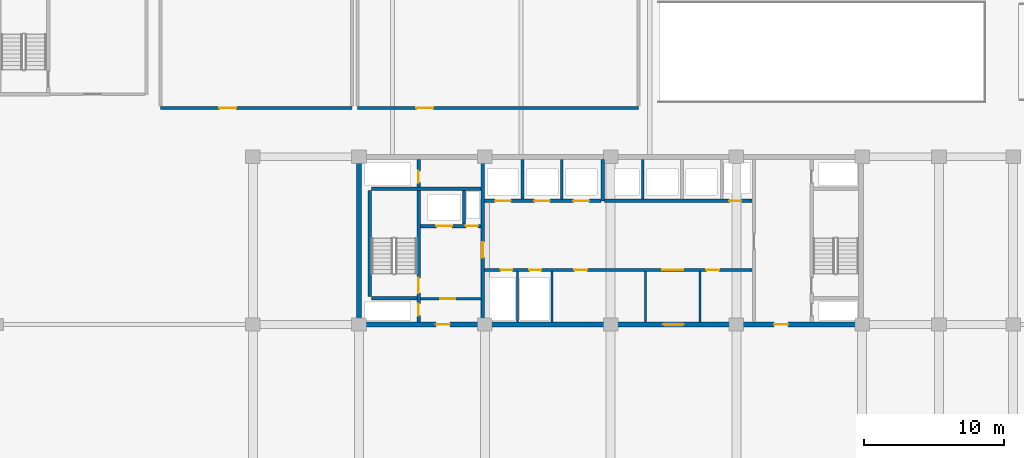
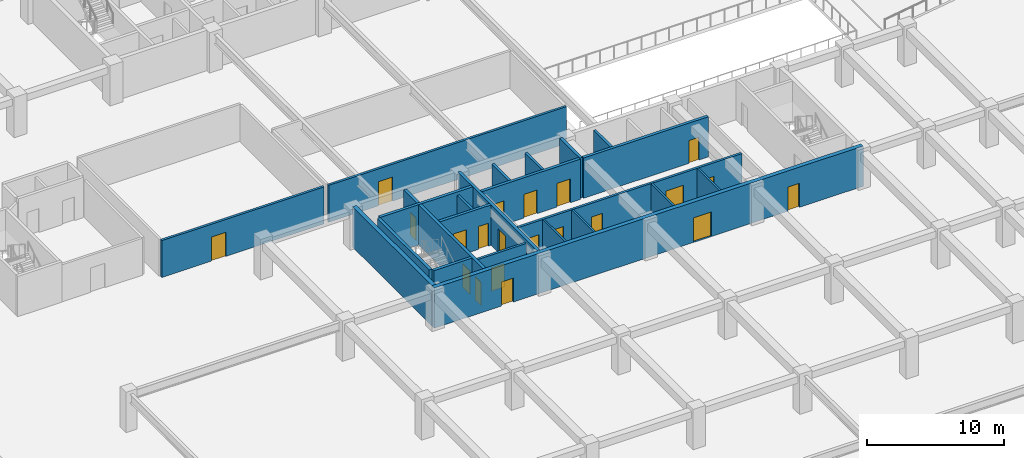
# One storey, part 6 of 23: 23 walls, 21 doors, 21 openings.
"""IFC4 building model written with IfcOpenShell, lengths in metres."""

from ifc_helpers import new_model, si_unit, direction, frame, frame_2d, origin, place, context, subcontext, project, spatial, rectangle, extrude, material, layer, layer_set, type_object, element, fill, save


model = new_model("IFC4")

# Units and contexts
model_context = context("Model", 3, precision=1e-05, world=origin(), true_north=direction((0.0, 1.0)))
body_context = subcontext(model_context, "Body", "Model", "MODEL_VIEW")
ifc_project = project(units=[si_unit("LENGTHUNIT", "METRE"), si_unit("AREAUNIT", "SQUARE_METRE"), si_unit("VOLUMEUNIT", "CUBIC_METRE"), si_unit("PLANEANGLEUNIT", "RADIAN"), si_unit("MASSUNIT", "GRAM", prefix="KILO")], contexts=[model_context])

# Site, building, storey
site_placement = place(None, origin())
site = spatial("IfcSite", under=ifc_project, at=site_placement, CompositionType="ELEMENT")
building_placement = place(site_placement, origin())
building = spatial("IfcBuilding", under=site, at=building_placement, Name="Korimba Cascade Residences", CompositionType="ELEMENT")
storey_placement = place(building_placement, frame((0.0, 0.0, -3.60009765625)))
storey = spatial("IfcBuildingStorey", under=building, at=storey_placement, Name="B01", CompositionType="ELEMENT", Elevation=-3.60009765625)

# Wall
ifc_material_1 = material(Name="Concrete C65/80", Category="concrete")
ifc_layer_1 = layer(ifc_material_1, 0.35009765625)
ifc_layer_set_1 = layer_set([ifc_layer_1], Name="Concrete C65/80")
wall_type_1 = type_object("IfcWallType", Name="WAL-CORE-350", PredefinedType="SHEAR", material=ifc_layer_set_1)
wall_1_placement = place(storey_placement, frame((82.10009765625, 18.574951171875, 0.0), z_axis=(0.0, 0.0, 1.0), x_axis=(0.0, 1.0, 0.0)))
element("IfcWall", 1, at=wall_1_placement, inside=storey, type_object=wall_type_1, Name="B01 Core Shear Wall CW-B01-T2-W", PredefinedType="SHEAR", context=body_context, shape_type="SweptSolid", body=[
    extrude(rectangle(XDim=11.650146484375, YDim=0.35009765625, at=frame_2d((5.8251953125, 0.0))), origin(), (0.0, 0.0, 1.0), 3.60009765625),
])

# Wall, openings, doors
wall_2_placement = place(storey_placement, frame((81.925048828125, 18.39990234375, 0.0), z_axis=(0.0, 0.0, 1.0), x_axis=(1.0, 0.0, 0.0)))
wall_2 = element("IfcWall", 2, at=wall_2_placement, inside=storey, type_object=wall_type_1, Name="B01 Core Shear Wall CW-B01-T2-S", PredefinedType="SHEAR", context=body_context, shape_type="SweptSolid", body=[
    extrude(rectangle(XDim=36.264892578125, YDim=0.35009765625, at=frame_2d((18.13232421875, 0.0))), origin(), (0.0, 0.0, 1.0), 3.60009765625),
])
opening_1_placement = place(wall_2_placement, frame((5.675048828125, 0.0, 0.0)))
opening_1 = element("IfcOpeningElement", 3, at=opening_1_placement, cuts=wall_2, Name="Opening D-FD5", PredefinedType="OPENING", context=body_context, shape_type="SweptSolid", body=[
    extrude(rectangle(XDim=1.0, YDim=2.14990234375, at=frame_2d((0.5, 1.074951171875))), frame((0.0, 0.18505859375, 0.0), z_axis=(0.0, -1.0, 0.0), x_axis=(1.0, 0.0, 0.0)), (0.0, 0.0, 1.0), 0.3701171875),
])
opening_2_placement = place(wall_2_placement, frame((21.925048828125, 0.0, 0.0)))
opening_2 = element("IfcOpeningElement", 4, at=opening_2_placement, cuts=wall_2, Name="Opening D-FD8", PredefinedType="OPENING", context=body_context, shape_type="SweptSolid", body=[
    extrude(rectangle(XDim=1.5, YDim=2.199951171875, at=frame_2d((0.75, 1.10009765625))), frame((0.0, 0.18505859375, 0.0), z_axis=(0.0, -1.0, 0.0), x_axis=(1.0, 0.0, 0.0)), (0.0, 0.0, 1.0), 0.3701171875),
])
opening_3_placement = place(wall_2_placement, frame((29.875, 0.0, 0.0)))
opening_3 = element("IfcOpeningElement", 5, at=opening_3_placement, cuts=wall_2, Name="Opening D-FD5", PredefinedType="OPENING", context=body_context, shape_type="SweptSolid", body=[
    extrude(rectangle(XDim=1.0, YDim=2.14990234375, at=frame_2d((0.5, 1.074951171875))), frame((0.0, 0.18505859375, 0.0), z_axis=(0.0, -1.0, 0.0), x_axis=(1.0, 0.0, 0.0)), (0.0, 0.0, 1.0), 0.3701171875),
])
ifc_material_2 = material(Name="Fire-Rated Acoustic Timber Vestibule Door", Category="wood")
door_type_1 = type_object("IfcDoorType", Name="DR-FD90-1000", OperationType="NOTDEFINED", PredefinedType="DOOR", material=ifc_material_2)
door_1_placement = place(opening_1_placement, origin())
door_1 = element("IfcDoor", 6, at=door_1_placement, inside=storey, type_object=door_type_1, Name="B01 T2 West Core Vestibule Fire Door", OperationType="SINGLE_SWING_LEFT", OverallHeight=2.14990234375, OverallWidth=1.0, PredefinedType="DOOR", context=body_context, shape_type="SweptSolid", body=[
    extrude(rectangle(XDim=1.0, YDim=2.14990234375, at=frame_2d((0.5, 1.074951171875))), frame((0.0, 0.02490234375, 0.0), z_axis=(0.0, -1.0, 0.0), x_axis=(1.0, 0.0, 0.0)), (0.0, 0.0, 1.0), 0.050048828125),
])
fill(opening_1, door_1)
door_2_placement = place(opening_3_placement, origin())
door_2 = element("IfcDoor", 7, at=door_2_placement, inside=storey, type_object=door_type_1, Name="B01 T2 East Stair Vestibule Fire Door", OperationType="SINGLE_SWING_RIGHT", OverallHeight=2.14990234375, OverallWidth=1.0, PredefinedType="DOOR", context=body_context, shape_type="SweptSolid", body=[
    extrude(rectangle(XDim=1.0, YDim=2.14990234375, at=frame_2d((0.5, 1.074951171875))), frame((0.0, 0.02490234375, 0.0), z_axis=(0.0, -1.0, 0.0), x_axis=(1.0, 0.0, 0.0)), (0.0, 0.0, 1.0), 0.050048828125),
])
fill(opening_3, door_2)
ifc_material_3 = material(Name="Fire-Rated Glazed Lift Lobby Double Door", Category="glass")
door_type_2 = type_object("IfcDoorType", Name="DR-FD90-1500", OperationType="NOTDEFINED", PredefinedType="DOOR", material=ifc_material_3)
door_3_placement = place(opening_2_placement, origin())
door_3 = element("IfcDoor", 8, at=door_3_placement, inside=storey, type_object=door_type_2, Name="B01 T2 Lift Lobby Fire Door", OperationType="DOUBLE_DOOR_SINGLE_SWING", OverallHeight=2.199951171875, OverallWidth=1.5, PredefinedType="DOOR", context=body_context, shape_type="SweptSolid", body=[
    extrude(rectangle(XDim=1.5, YDim=2.199951171875, at=frame_2d((0.75, 1.10009765625))), frame((0.0, 0.02490234375, 0.0), z_axis=(0.0, -1.0, 0.0), x_axis=(1.0, 0.0, 0.0)), (0.0, 0.0, 1.0), 0.050048828125),
])
fill(opening_2, door_3)

# Walls
ifc_material_4 = material(Name="Insulated Acoustic Stud Partition", Category="gypsum")
ifc_layer_2 = layer(ifc_material_4, 0.14990234375)
ifc_layer_set_2 = layer_set([ifc_layer_2], Name="Insulated Acoustic Stud Partition")
wall_type_2 = type_object("IfcWallType", Name="WAL-PART-150", PredefinedType="PARTITIONING", material=ifc_layer_set_2)
for number, where, z_axis, x_axis, name in (
    (9, (93.449951171875, 18.60009765625, 0.0), (0.0, 0.0, 1.0), (0.0, 1.0, 0.0), "B01 Partition Wall CW-B01-T2-ERDIV"),
    (10, (95.89990234375, 18.60009765625, 0.0), (0.0, 0.0, 1.0), (0.0, 1.0, 0.0), "B01 Partition Wall CW-B01-T2-PRDIV"),
    (11, (102.60009765625, 18.60009765625, 0.0), (0.0, 0.0, 1.0), (0.0, 1.0, 0.0), "B01 Partition Wall CW-B01-T2-THW"),
    (12, (106.5, 18.60009765625, 0.0), (0.0, 0.0, 1.0), (0.0, 1.0, 0.0), "B01 Partition Wall CW-B01-T2-THE"),
):
    element("IfcWall", number, at=place(storey_placement, frame(where, z_axis=z_axis, x_axis=x_axis)), inside=storey, type_object=wall_type_2, Name=name, PredefinedType="PARTITIONING", context=body_context, shape_type="SweptSolid", body=[
        extrude(rectangle(XDim=3.599853515625, YDim=0.14990234375, at=frame_2d((1.7998046875, 0.0))), origin(), (0.0, 0.0, 1.0), 3.300048828125),
    ])
ifc_material_5 = material(Name="Concrete C40/50", Category="concrete")
ifc_layer_3 = layer(ifc_material_5, 0.199951171875)
ifc_layer_set_3 = layer_set([ifc_layer_3], Name="Concrete C40/50")
wall_type_3 = type_object("IfcWallType", Name="WAL-PART-200", PredefinedType="PARTITIONING", material=ifc_layer_set_3)
wall_3_placement = place(storey_placement, frame((89.60009765625, 25.580078125, 0.0), z_axis=(0.0, 0.0, 1.0), x_axis=(0.0, 1.0, 0.0)))
element("IfcWall", 13, at=wall_3_placement, inside=storey, type_object=wall_type_3, Name="B01 Partition Wall CW-B01-T2-FFLDIV", PredefinedType="PARTITIONING", context=body_context, shape_type="SweptSolid", body=[
    extrude(rectangle(XDim=2.419921875, YDim=0.199951171875, at=frame_2d((1.2099609375, 0.0))), origin(), (0.0, 0.0, 1.0), 3.300048828125),
])

# Wall, opening, door
wall_4_placement = place(storey_placement, frame((86.5, 20.25, 0.0), z_axis=(0.0, 0.0, 1.0), x_axis=(1.0, 0.0, 0.0)))
wall_4 = element("IfcWall", 14, at=wall_4_placement, inside=storey, type_object=wall_type_3, Name="B01 Partition Wall CW-B01-T2-FFLS", PredefinedType="PARTITIONING", context=body_context, shape_type="SweptSolid", body=[
    extrude(rectangle(XDim=4.320068359375, YDim=0.199951171875, at=frame_2d((2.16015625, 0.0))), origin(), (0.0, 0.0, 1.0), 3.300048828125),
])
opening_4_placement = place(wall_4_placement, frame((1.39990234375, 0.0, 0.0)))
opening_4 = element("IfcOpeningElement", 15, at=opening_4_placement, cuts=wall_4, Name="Opening D-FD1", PredefinedType="OPENING", context=body_context, shape_type="SweptSolid", body=[
    extrude(rectangle(XDim=1.10009765625, YDim=2.10009765625, at=frame_2d((0.550048828125, 1.050048828125))), frame((0.0, 0.10986328125, 0.0), z_axis=(0.0, -1.0, 0.0), x_axis=(1.0, 0.0, 0.0)), (0.0, 0.0, 1.0), 0.219970703125),
])
ifc_material_6 = material(Name="Fire-Rated Steel Core Door", Category="steel")
door_type_3 = type_object("IfcDoorType", Name="DR-FD120-1100", OperationType="NOTDEFINED", PredefinedType="DOOR", material=ifc_material_6)
door_4_placement = place(opening_4_placement, origin())
door_4 = element("IfcDoor", 16, at=door_4_placement, inside=storey, type_object=door_type_3, Name="B01 T2 Firefighting Lobby Door", OperationType="SINGLE_SWING_LEFT", OverallHeight=2.10009765625, OverallWidth=1.10009765625, PredefinedType="DOOR", context=body_context, shape_type="SweptSolid", body=[
    extrude(rectangle(XDim=1.10009765625, YDim=2.10009765625, at=frame_2d((0.550048828125, 1.050048828125))), frame((0.0, 0.02490234375, 0.0), z_axis=(0.0, -1.0, 0.0), x_axis=(1.0, 0.0, 0.0)), (0.0, 0.0, 1.0), 0.050048828125),
])
fill(opening_4, door_4)

# Walls
for number, where, z_axis, x_axis, name in (
    (17, (93.800048828125, 27.3798828125, 0.0), (0.0, 0.0, 1.0), (0.0, 1.0, 0.0), "B01 Partition Wall CW-B01-T2-B1D1"),
    (18, (96.60009765625, 27.3798828125, 0.0), (0.0, 0.0, 1.0), (0.0, 1.0, 0.0), "B01 Partition Wall CW-B01-T2-B1D2"),
    (19, (102.39990234375, 27.3798828125, 0.0), (0.0, 0.0, 1.0), (0.0, 1.0, 0.0), "B01 Partition Wall CW-B01-T2-B2D1"),
):
    element("IfcWall", number, at=place(storey_placement, frame(where, z_axis=z_axis, x_axis=x_axis)), inside=storey, type_object=wall_type_3, Name=name, PredefinedType="PARTITIONING", context=body_context, shape_type="SweptSolid", body=[
        extrude(rectangle(XDim=2.820068359375, YDim=0.199951171875, at=frame_2d((1.41015625, 0.0))), origin(), (0.0, 0.0, 1.0), 3.300048828125),
    ])

# Wall, openings, doors
wall_5_placement = place(storey_placement, frame((91.080078125, 22.300048828125, 0.0), z_axis=(0.0, 0.0, 1.0), x_axis=(1.0, 0.0, 0.0)))
wall_5 = element("IfcWall", 20, at=wall_5_placement, inside=storey, type_object=wall_type_3, Name="B01 Partition Wall CW-B01-T2-SRVROW", PredefinedType="PARTITIONING", context=body_context, shape_type="SweptSolid", body=[
    extrude(rectangle(XDim=19.139892578125, YDim=0.199951171875, at=frame_2d((9.56982421875, 0.0))), origin(), (0.0, 0.0, 1.0), 3.300048828125),
])
opening_5_placement = place(wall_5_placement, frame((1.14990234375, 0.0, 0.0)))
opening_5 = element("IfcOpeningElement", 21, at=opening_5_placement, cuts=wall_5, Name="Opening D-RS1", PredefinedType="OPENING", context=body_context, shape_type="SweptSolid", body=[
    extrude(rectangle(XDim=0.85009765625, YDim=2.050048828125, at=frame_2d((0.425048828125, 1.02490234375))), frame((0.0, 0.10986328125, 0.0), z_axis=(0.0, -1.0, 0.0), x_axis=(1.0, 0.0, 0.0)), (0.0, 0.0, 1.0), 0.219970703125),
])
opening_6_placement = place(wall_5_placement, frame((3.199951171875, 0.0, 0.0)))
opening_6 = element("IfcOpeningElement", 22, at=opening_6_placement, cuts=wall_5, Name="Opening D-RS1", PredefinedType="OPENING", context=body_context, shape_type="SweptSolid", body=[
    extrude(rectangle(XDim=0.85009765625, YDim=2.050048828125, at=frame_2d((0.425048828125, 1.02490234375))), frame((0.0, 0.10986328125, 0.0), z_axis=(0.0, -1.0, 0.0), x_axis=(1.0, 0.0, 0.0)), (0.0, 0.0, 1.0), 0.219970703125),
])
opening_7_placement = place(wall_5_placement, frame((12.719970703125, 0.0, 0.0)))
opening_7 = element("IfcOpeningElement", 23, at=opening_7_placement, cuts=wall_5, Name="Opening D-FD8", PredefinedType="OPENING", context=body_context, shape_type="SweptSolid", body=[
    extrude(rectangle(XDim=1.5, YDim=2.199951171875, at=frame_2d((0.75, 1.10009765625))), frame((0.0, 0.10986328125, 0.0), z_axis=(0.0, -1.0, 0.0), x_axis=(1.0, 0.0, 0.0)), (0.0, 0.0, 1.0), 0.219970703125),
])
opening_8_placement = place(wall_5_placement, frame((6.419921875, 0.0, 0.0)))
opening_8 = element("IfcOpeningElement", 24, at=opening_8_placement, cuts=wall_5, Name="Opening D-IN1", PredefinedType="OPENING", context=body_context, shape_type="SweptSolid", body=[
    extrude(rectangle(XDim=0.919921875, YDim=2.080078125, at=frame_2d((0.4599609375, 1.0400390625))), frame((0.0, 0.10986328125, 0.0), z_axis=(0.0, -1.0, 0.0), x_axis=(1.0, 0.0, 0.0)), (0.0, 0.0, 1.0), 0.219970703125),
])
opening_9_placement = place(wall_5_placement, frame((15.8701171875, 0.0, 0.0)))
opening_9 = element("IfcOpeningElement", 25, at=opening_9_placement, cuts=wall_5, Name="Opening D-IN1", PredefinedType="OPENING", context=body_context, shape_type="SweptSolid", body=[
    extrude(rectangle(XDim=0.919921875, YDim=2.080078125, at=frame_2d((0.4599609375, 1.0400390625))), frame((0.0, 0.10986328125, 0.0), z_axis=(0.0, -1.0, 0.0), x_axis=(1.0, 0.0, 0.0)), (0.0, 0.0, 1.0), 0.219970703125),
])
ifc_material_7 = material(Name="Fire-Rated Steel Riser Access Door", Category="steel")
door_type_4 = type_object("IfcDoorType", Name="DR-FD60-850", OperationType="NOTDEFINED", PredefinedType="DOOR", material=ifc_material_7)
door_5_placement = place(opening_5_placement, origin())
door_5 = element("IfcDoor", 26, at=door_5_placement, inside=storey, type_object=door_type_4, Name="B01 T2 Electrical Riser Door", OperationType="SINGLE_SWING_RIGHT", OverallHeight=2.050048828125, OverallWidth=0.85009765625, PredefinedType="DOOR", context=body_context, shape_type="SweptSolid", body=[
    extrude(rectangle(XDim=0.85009765625, YDim=2.050048828125, at=frame_2d((0.425048828125, 1.02490234375))), frame((0.0, 0.02490234375, 0.0), z_axis=(0.0, -1.0, 0.0), x_axis=(1.0, 0.0, 0.0)), (0.0, 0.0, 1.0), 0.050048828125),
])
fill(opening_5, door_5)
door_6_placement = place(opening_6_placement, origin())
door_6 = element("IfcDoor", 27, at=door_6_placement, inside=storey, type_object=door_type_4, Name="B01 T2 Plumbing Riser Door", OperationType="SINGLE_SWING_LEFT", OverallHeight=2.050048828125, OverallWidth=0.85009765625, PredefinedType="DOOR", context=body_context, shape_type="SweptSolid", body=[
    extrude(rectangle(XDim=0.85009765625, YDim=2.050048828125, at=frame_2d((0.425048828125, 1.02490234375))), frame((0.0, 0.02490234375, 0.0), z_axis=(0.0, -1.0, 0.0), x_axis=(1.0, 0.0, 0.0)), (0.0, 0.0, 1.0), 0.050048828125),
])
fill(opening_6, door_6)
door_7_placement = place(opening_7_placement, origin())
door_7 = element("IfcDoor", 28, at=door_7_placement, inside=storey, type_object=door_type_2, Name="B01 T2 Lift Lobby Foyer Door", OperationType="DOUBLE_DOOR_SINGLE_SWING", OverallHeight=2.199951171875, OverallWidth=1.5, PredefinedType="DOOR", context=body_context, shape_type="SweptSolid", body=[
    extrude(rectangle(XDim=1.5, YDim=2.199951171875, at=frame_2d((0.75, 1.10009765625))), frame((0.0, 0.02490234375, 0.0), z_axis=(0.0, -1.0, 0.0), x_axis=(1.0, 0.0, 0.0)), (0.0, 0.0, 1.0), 0.050048828125),
])
fill(opening_7, door_7)
ifc_material_8 = material(Name="Acoustic Timber Living Door", Category="wood")
door_type_5 = type_object("IfcDoorType", Name="DR-INT-920", OperationType="NOTDEFINED", PredefinedType="DOOR", material=ifc_material_8)
door_8_placement = place(opening_8_placement, origin())
door_8 = element("IfcDoor", 29, at=door_8_placement, inside=storey, type_object=door_type_5, Name="B01 T2 Housekeeping Door", OperationType="SINGLE_SWING_RIGHT", OverallHeight=2.080078125, OverallWidth=0.919921875, PredefinedType="DOOR", context=body_context, shape_type="SweptSolid", body=[
    extrude(rectangle(XDim=0.919921875, YDim=2.080078125, at=frame_2d((0.4599609375, 1.0400390625))), frame((0.0, 0.02490234375, 0.0), z_axis=(0.0, -1.0, 0.0), x_axis=(1.0, 0.0, 0.0)), (0.0, 0.0, 1.0), 0.050048828125),
])
fill(opening_8, door_8)
door_9_placement = place(opening_9_placement, origin())
door_9 = element("IfcDoor", 30, at=door_9_placement, inside=storey, type_object=door_type_5, Name="B01 T2 Store Door", OperationType="SINGLE_SWING_LEFT", OverallHeight=2.080078125, OverallWidth=0.919921875, PredefinedType="DOOR", context=body_context, shape_type="SweptSolid", body=[
    extrude(rectangle(XDim=0.919921875, YDim=2.080078125, at=frame_2d((0.4599609375, 1.0400390625))), frame((0.0, 0.02490234375, 0.0), z_axis=(0.0, -1.0, 0.0), x_axis=(1.0, 0.0, 0.0)), (0.0, 0.0, 1.0), 0.050048828125),
])
fill(opening_9, door_9)

# Wall, opening, door
wall_6_placement = place(storey_placement, frame((67.89990234375, 33.89990234375, 0.0), z_axis=(0.0, 0.0, 1.0), x_axis=(1.0, 0.0, 0.0)))
wall_6 = element("IfcWall", 31, at=wall_6_placement, inside=storey, type_object=wall_type_3, Name="B01 Partition Wall WAL-B01-PMPS", PredefinedType="PARTITIONING", context=body_context, shape_type="SweptSolid", body=[
    extrude(rectangle(XDim=13.7001953125, YDim=0.199951171875, at=frame_2d((6.85009765625, 0.0))), origin(), (0.0, 0.0, 1.0), 3.300048828125),
])
opening_10_placement = place(wall_6_placement, frame((4.199951171875, 0.0, 0.0)))
opening_10 = element("IfcOpeningElement", 32, at=opening_10_placement, cuts=wall_6, Name="Opening D-FD3", PredefinedType="OPENING", context=body_context, shape_type="SweptSolid", body=[
    extrude(rectangle(XDim=1.199951171875, YDim=2.14990234375, at=frame_2d((0.60009765625, 1.074951171875))), frame((0.0, 0.10986328125, 0.0), z_axis=(0.0, -1.0, 0.0), x_axis=(1.0, 0.0, 0.0)), (0.0, 0.0, 1.0), 0.219970703125),
])
ifc_material_9 = material(Name="Fire-Rated Steel Plant Door", Category="steel")
door_type_6 = type_object("IfcDoorType", Name="DR-FD120-1200", OperationType="NOTDEFINED", PredefinedType="DOOR", material=ifc_material_9)
door_10_placement = place(opening_10_placement, origin())
door_10 = element("IfcDoor", 33, at=door_10_placement, inside=storey, type_object=door_type_6, Name="B01 Pump Room Door", OperationType="SINGLE_SWING_RIGHT", OverallHeight=2.14990234375, OverallWidth=1.199951171875, PredefinedType="DOOR", context=body_context, shape_type="SweptSolid", body=[
    extrude(rectangle(XDim=1.199951171875, YDim=2.14990234375, at=frame_2d((0.60009765625, 1.074951171875))), frame((0.0, 0.02490234375, 0.0), z_axis=(0.0, -1.0, 0.0), x_axis=(1.0, 0.0, 0.0)), (0.0, 0.0, 1.0), 0.050048828125),
])
fill(opening_10, door_10)

wall_7_placement = place(storey_placement, frame((82.0, 33.89990234375, 0.0), z_axis=(0.0, 0.0, 1.0), x_axis=(1.0, 0.0, 0.0)))
wall_7 = element("IfcWall", 34, at=wall_7_placement, inside=storey, type_object=wall_type_3, Name="B01 Partition Wall WAL-B01-HVSS", PredefinedType="PARTITIONING", context=body_context, shape_type="SweptSolid", body=[
    extrude(rectangle(XDim=20.10009765625, YDim=0.199951171875, at=frame_2d((10.050048828125, 0.0))), origin(), (0.0, 0.0, 1.0), 3.300048828125),
])
opening_11_placement = place(wall_7_placement, frame((4.199951171875, 0.0, 0.0)))
opening_11 = element("IfcOpeningElement", 35, at=opening_11_placement, cuts=wall_7, Name="Opening D-FD3", PredefinedType="OPENING", context=body_context, shape_type="SweptSolid", body=[
    extrude(rectangle(XDim=1.199951171875, YDim=2.14990234375, at=frame_2d((0.60009765625, 1.074951171875))), frame((0.0, 0.10986328125, 0.0), z_axis=(0.0, -1.0, 0.0), x_axis=(1.0, 0.0, 0.0)), (0.0, 0.0, 1.0), 0.219970703125),
])
door_11_placement = place(opening_11_placement, origin())
door_11 = element("IfcDoor", 36, at=door_11_placement, inside=storey, type_object=door_type_6, Name="B01 Switchroom Door", OperationType="SINGLE_SWING_LEFT", OverallHeight=2.14990234375, OverallWidth=1.199951171875, PredefinedType="DOOR", context=body_context, shape_type="SweptSolid", body=[
    extrude(rectangle(XDim=1.199951171875, YDim=2.14990234375, at=frame_2d((0.60009765625, 1.074951171875))), frame((0.0, 0.02490234375, 0.0), z_axis=(0.0, -1.0, 0.0), x_axis=(1.0, 0.0, 0.0)), (0.0, 0.0, 1.0), 0.050048828125),
])
fill(opening_11, door_11)

# Wall
ifc_material_10 = material(Name="Concrete C50/60", Category="concrete")
ifc_layer_4 = layer(ifc_material_10, 0.25)
ifc_layer_set_4 = layer_set([ifc_layer_4], Name="Concrete C50/60")
wall_type_4 = type_object("IfcWallType", Name="WAL-SHAFT-250", PredefinedType="SHEAR", material=ifc_layer_set_4)
wall_8_placement = place(storey_placement, frame((82.875, 20.39990234375, 0.0), z_axis=(0.0, 0.0, 1.0), x_axis=(0.0, 1.0, 0.0)))
element("IfcWall", 37, at=wall_8_placement, inside=storey, type_object=wall_type_4, Name="B01 Core Shear Wall CW-B01-T2-STE1W", PredefinedType="SHEAR", context=body_context, shape_type="SweptSolid", body=[
    extrude(rectangle(XDim=7.60009765625, YDim=0.25, at=frame_2d((3.800048828125, 0.0))), origin(), (0.0, 0.0, 1.0), 3.60009765625),
])

# Wall, openings, doors
wall_9_placement = place(storey_placement, frame((86.364990234375, 18.60009765625, 0.0), z_axis=(0.0, 0.0, 1.0), x_axis=(0.0, 1.0, 0.0)))
wall_9 = element("IfcWall", 38, at=wall_9_placement, inside=storey, type_object=wall_type_4, Name="B01 Core Shear Wall CW-B01-T2-STE1E", PredefinedType="SHEAR", context=body_context, shape_type="SweptSolid", body=[
    extrude(rectangle(XDim=11.599853515625, YDim=0.25, at=frame_2d((5.7998046875, 0.0))), origin(), (0.0, 0.0, 1.0), 3.60009765625),
])
opening_12_placement = place(wall_9_placement, frame((0.449951171875, 0.0, 0.0)))
opening_12 = element("IfcOpeningElement", 39, at=opening_12_placement, cuts=wall_9, Name="Opening D-RS1", PredefinedType="OPENING", context=body_context, shape_type="SweptSolid", body=[
    extrude(rectangle(XDim=0.85009765625, YDim=2.050048828125, at=frame_2d((0.425048828125, 1.02490234375))), frame((0.0, 0.135009765625, 0.0), z_axis=(0.0, -1.0, 0.0), x_axis=(1.0, 0.0, 0.0)), (0.0, 0.0, 1.0), 0.27001953125),
])
opening_13_placement = place(wall_9_placement, frame((2.050048828125, 0.0, 0.0)))
opening_13 = element("IfcOpeningElement", 40, at=opening_13_placement, cuts=wall_9, Name="Opening D-FD1", PredefinedType="OPENING", context=body_context, shape_type="SweptSolid", body=[
    extrude(rectangle(XDim=1.10009765625, YDim=2.10009765625, at=frame_2d((0.550048828125, 1.050048828125))), frame((0.0, 0.135009765625, 0.0), z_axis=(0.0, -1.0, 0.0), x_axis=(1.0, 0.0, 0.0)), (0.0, 0.0, 1.0), 0.27001953125),
])
opening_14_placement = place(wall_9_placement, frame((9.949951171875, 0.0, 0.0)))
opening_14 = element("IfcOpeningElement", 41, at=opening_14_placement, cuts=wall_9, Name="Opening D-RS1", PredefinedType="OPENING", context=body_context, shape_type="SweptSolid", body=[
    extrude(rectangle(XDim=0.85009765625, YDim=2.050048828125, at=frame_2d((0.425048828125, 1.02490234375))), frame((0.0, 0.135009765625, 0.0), z_axis=(0.0, -1.0, 0.0), x_axis=(1.0, 0.0, 0.0)), (0.0, 0.0, 1.0), 0.27001953125),
])
door_12_placement = place(opening_13_placement, origin())
door_12 = element("IfcDoor", 42, at=door_12_placement, inside=storey, type_object=door_type_3, Name="B01 Fire Stair ST-E1 Door", OperationType="SINGLE_SWING_RIGHT", OverallHeight=2.10009765625, OverallWidth=1.10009765625, PredefinedType="DOOR", context=body_context, shape_type="SweptSolid", body=[
    extrude(rectangle(XDim=1.10009765625, YDim=2.10009765625, at=frame_2d((0.550048828125, 1.050048828125))), frame((0.0, 0.02490234375, 0.0), z_axis=(0.0, -1.0, 0.0), x_axis=(1.0, 0.0, 0.0)), (0.0, 0.0, 1.0), 0.050048828125),
])
fill(opening_13, door_12)
door_13_placement = place(opening_12_placement, origin())
door_13 = element("IfcDoor", 43, at=door_13_placement, inside=storey, type_object=door_type_4, Name="B01 T2 Hydrant Riser Door", OperationType="SINGLE_SWING_LEFT", OverallHeight=2.050048828125, OverallWidth=0.85009765625, PredefinedType="DOOR", context=body_context, shape_type="SweptSolid", body=[
    extrude(rectangle(XDim=0.85009765625, YDim=2.050048828125, at=frame_2d((0.425048828125, 1.02490234375))), frame((0.0, 0.02490234375, 0.0), z_axis=(0.0, -1.0, 0.0), x_axis=(1.0, 0.0, 0.0)), (0.0, 0.0, 1.0), 0.050048828125),
])
fill(opening_12, door_13)
door_14_placement = place(opening_14_placement, origin())
door_14 = element("IfcDoor", 44, at=door_14_placement, inside=storey, type_object=door_type_4, Name="B01 T2 Smoke Shaft Door", OperationType="SINGLE_SWING_LEFT", OverallHeight=2.050048828125, OverallWidth=0.85009765625, PredefinedType="DOOR", context=body_context, shape_type="SweptSolid", body=[
    extrude(rectangle(XDim=0.85009765625, YDim=2.050048828125, at=frame_2d((0.425048828125, 1.02490234375))), frame((0.0, 0.02490234375, 0.0), z_axis=(0.0, -1.0, 0.0), x_axis=(1.0, 0.0, 0.0)), (0.0, 0.0, 1.0), 0.050048828125),
])
fill(opening_14, door_14)

# Walls
wall_10_placement = place(storey_placement, frame((83.0, 20.27490234375, 0.0), z_axis=(0.0, 0.0, 1.0), x_axis=(1.0, 0.0, 0.0)))
element("IfcWall", 45, at=wall_10_placement, inside=storey, type_object=wall_type_4, Name="B01 Core Shear Wall CW-B01-T2-STE1S", PredefinedType="SHEAR", context=body_context, shape_type="SweptSolid", body=[
    extrude(rectangle(XDim=3.239990234375, YDim=0.25, at=frame_2d((1.6201171875, 0.0))), origin(), (0.0, 0.0, 1.0), 3.60009765625),
])
wall_11_placement = place(storey_placement, frame((83.0, 28.125, 0.0), z_axis=(0.0, 0.0, 1.0), x_axis=(1.0, 0.0, 0.0)))
element("IfcWall", 46, at=wall_11_placement, inside=storey, type_object=wall_type_4, Name="B01 Core Shear Wall CW-B01-T2-STE1N", PredefinedType="SHEAR", context=body_context, shape_type="SweptSolid", body=[
    extrude(rectangle(XDim=7.820068359375, YDim=0.25, at=frame_2d((3.91015625, 0.0))), origin(), (0.0, 0.0, 1.0), 3.60009765625),
])

# Wall, openings, doors
wall_12_placement = place(storey_placement, frame((86.5, 25.449951171875, 0.0), z_axis=(0.0, 0.0, 1.0), x_axis=(1.0, 0.0, 0.0)))
wall_12 = element("IfcWall", 47, at=wall_12_placement, inside=storey, type_object=wall_type_4, Name="B01 Core Shear Wall CW-B01-T2-FFLN", PredefinedType="SHEAR", context=body_context, shape_type="SweptSolid", body=[
    extrude(rectangle(XDim=4.320068359375, YDim=0.25, at=frame_2d((2.16015625, 0.0))), origin(), (0.0, 0.0, 1.0), 3.60009765625),
])
opening_15_placement = place(wall_12_placement, frame((1.139892578125, 0.0, 0.0)))
opening_15 = element("IfcOpeningElement", 48, at=opening_15_placement, cuts=wall_12, Name="Opening LD-01", PredefinedType="OPENING", context=body_context, shape_type="SweptSolid", body=[
    extrude(rectangle(XDim=1.1201171875, YDim=2.1201171875, at=frame_2d((0.56005859375, 1.06005859375))), frame((0.0, 0.135009765625, 0.0), z_axis=(0.0, -1.0, 0.0), x_axis=(1.0, 0.0, 0.0)), (0.0, 0.0, 1.0), 0.27001953125),
])
opening_16_placement = place(wall_12_placement, frame((3.25, 0.0, 0.0)))
opening_16 = element("IfcOpeningElement", 49, at=opening_16_placement, cuts=wall_12, Name="Opening D-RS1", PredefinedType="OPENING", context=body_context, shape_type="SweptSolid", body=[
    extrude(rectangle(XDim=0.85009765625, YDim=2.050048828125, at=frame_2d((0.425048828125, 1.02490234375))), frame((0.0, 0.135009765625, 0.0), z_axis=(0.0, -1.0, 0.0), x_axis=(1.0, 0.0, 0.0)), (0.0, 0.0, 1.0), 0.27001953125),
])
door_15_placement = place(opening_16_placement, origin())
door_15 = element("IfcDoor", 50, at=door_15_placement, inside=storey, type_object=door_type_4, Name="B01 T2 Pressurisation Riser Door", OperationType="SINGLE_SWING_RIGHT", OverallHeight=2.050048828125, OverallWidth=0.85009765625, PredefinedType="DOOR", context=body_context, shape_type="SweptSolid", body=[
    extrude(rectangle(XDim=0.85009765625, YDim=2.050048828125, at=frame_2d((0.425048828125, 1.02490234375))), frame((0.0, 0.02490234375, 0.0), z_axis=(0.0, -1.0, 0.0), x_axis=(1.0, 0.0, 0.0)), (0.0, 0.0, 1.0), 0.050048828125),
])
fill(opening_16, door_15)
ifc_material_11 = material(Name="Stainless Steel Lift Landing Sliding Door", Category="steel")
door_type_7 = type_object("IfcDoorType", Name="DR-LIFT-1100", OperationType="NOTDEFINED", PredefinedType="DOOR", material=ifc_material_11)
door_16_placement = place(opening_15_placement, origin())
door_16 = element("IfcDoor", 51, at=door_16_placement, inside=storey, type_object=door_type_7, Name="B01 Firefighting Lift Landing Door FFL-E1", OperationType="SLIDING_TO_RIGHT", OverallHeight=2.1201171875, OverallWidth=1.1201171875, PredefinedType="DOOR", context=body_context, shape_type="SweptSolid", body=[
    extrude(rectangle(XDim=1.1201171875, YDim=2.1201171875, at=frame_2d((0.56005859375, 1.06005859375))), frame((0.0, 0.02490234375, 0.0), z_axis=(0.0, -1.0, 0.0), x_axis=(1.0, 0.0, 0.0)), (0.0, 0.0, 1.0), 0.050048828125),
])
fill(opening_15, door_16)

# Wall, opening, door
wall_13_placement = place(storey_placement, frame((90.949951171875, 18.60009765625, 0.0), z_axis=(0.0, 0.0, 1.0), x_axis=(0.0, 1.0, 0.0)))
wall_13 = element("IfcWall", 52, at=wall_13_placement, inside=storey, type_object=wall_type_4, Name="B01 Core Shear Wall CW-B01-T2-FFLE", PredefinedType="SHEAR", context=body_context, shape_type="SweptSolid", body=[
    extrude(rectangle(XDim=11.599853515625, YDim=0.25, at=frame_2d((5.7998046875, 0.0))), origin(), (0.0, 0.0, 1.0), 3.60009765625),
])
opening_17_placement = place(wall_13_placement, frame((4.60009765625, 0.0, 0.0)))
opening_17 = element("IfcOpeningElement", 53, at=opening_17_placement, cuts=wall_13, Name="Opening D-FD1", PredefinedType="OPENING", context=body_context, shape_type="SweptSolid", body=[
    extrude(rectangle(XDim=1.10009765625, YDim=2.10009765625, at=frame_2d((0.550048828125, 1.050048828125))), frame((0.0, 0.135009765625, 0.0), z_axis=(0.0, -1.0, 0.0), x_axis=(1.0, 0.0, 0.0)), (0.0, 0.0, 1.0), 0.27001953125),
])
door_17_placement = place(opening_17_placement, origin())
door_17 = element("IfcDoor", 54, at=door_17_placement, inside=storey, type_object=door_type_3, Name="B01 T2 Firefighting Lobby to Lift Lobby Door", OperationType="SINGLE_SWING_RIGHT", OverallHeight=2.10009765625, OverallWidth=1.10009765625, PredefinedType="DOOR", context=body_context, shape_type="SweptSolid", body=[
    extrude(rectangle(XDim=1.10009765625, YDim=2.10009765625, at=frame_2d((0.550048828125, 1.050048828125))), frame((0.0, 0.02490234375, 0.0), z_axis=(0.0, -1.0, 0.0), x_axis=(1.0, 0.0, 0.0)), (0.0, 0.0, 1.0), 0.050048828125),
])
fill(opening_17, door_17)

# Wall, openings, doors
wall_14_placement = place(storey_placement, frame((91.080078125, 27.25, 0.0), z_axis=(0.0, 0.0, 1.0), x_axis=(1.0, 0.0, 0.0)))
wall_14 = element("IfcWall", 55, at=wall_14_placement, inside=storey, type_object=wall_type_4, Name="B01 Core Shear Wall CW-B01-T2-B1S", PredefinedType="SHEAR", context=body_context, shape_type="SweptSolid", body=[
    extrude(rectangle(XDim=8.33984375, YDim=0.25, at=frame_2d((4.169921875, 0.0))), origin(), (0.0, 0.0, 1.0), 3.60009765625),
])
opening_18_placement = place(wall_14_placement, frame((0.760009765625, 0.0, 0.0)))
opening_18 = element("IfcOpeningElement", 56, at=opening_18_placement, cuts=wall_14, Name="Opening LD-01", PredefinedType="OPENING", context=body_context, shape_type="SweptSolid", body=[
    extrude(rectangle(XDim=1.1201171875, YDim=2.1201171875, at=frame_2d((0.56005859375, 1.06005859375))), frame((0.0, 0.135009765625, 0.0), z_axis=(0.0, -1.0, 0.0), x_axis=(1.0, 0.0, 0.0)), (0.0, 0.0, 1.0), 0.27001953125),
])
opening_19_placement = place(wall_14_placement, frame((3.56005859375, 0.0, 0.0)))
opening_19 = element("IfcOpeningElement", 57, at=opening_19_placement, cuts=wall_14, Name="Opening LD-01", PredefinedType="OPENING", context=body_context, shape_type="SweptSolid", body=[
    extrude(rectangle(XDim=1.1201171875, YDim=2.1201171875, at=frame_2d((0.56005859375, 1.06005859375))), frame((0.0, 0.135009765625, 0.0), z_axis=(0.0, -1.0, 0.0), x_axis=(1.0, 0.0, 0.0)), (0.0, 0.0, 1.0), 0.27001953125),
])
opening_20_placement = place(wall_14_placement, frame((6.360107421875, 0.0, 0.0)))
opening_20 = element("IfcOpeningElement", 58, at=opening_20_placement, cuts=wall_14, Name="Opening LD-01", PredefinedType="OPENING", context=body_context, shape_type="SweptSolid", body=[
    extrude(rectangle(XDim=1.1201171875, YDim=2.1201171875, at=frame_2d((0.56005859375, 1.06005859375))), frame((0.0, 0.135009765625, 0.0), z_axis=(0.0, -1.0, 0.0), x_axis=(1.0, 0.0, 0.0)), (0.0, 0.0, 1.0), 0.27001953125),
])
door_18_placement = place(opening_18_placement, origin())
door_18 = element("IfcDoor", 59, at=door_18_placement, inside=storey, type_object=door_type_7, Name="B01 Lift Landing Door PL-E1", OperationType="SLIDING_TO_LEFT", OverallHeight=2.1201171875, OverallWidth=1.1201171875, PredefinedType="DOOR", context=body_context, shape_type="SweptSolid", body=[
    extrude(rectangle(XDim=1.1201171875, YDim=2.1201171875, at=frame_2d((0.56005859375, 1.06005859375))), frame((0.0, 0.02490234375, 0.0), z_axis=(0.0, -1.0, 0.0), x_axis=(1.0, 0.0, 0.0)), (0.0, 0.0, 1.0), 0.050048828125),
])
fill(opening_18, door_18)
door_19_placement = place(opening_19_placement, origin())
door_19 = element("IfcDoor", 60, at=door_19_placement, inside=storey, type_object=door_type_7, Name="B01 Lift Landing Door PL-E2", OperationType="SLIDING_TO_LEFT", OverallHeight=2.1201171875, OverallWidth=1.1201171875, PredefinedType="DOOR", context=body_context, shape_type="SweptSolid", body=[
    extrude(rectangle(XDim=1.1201171875, YDim=2.1201171875, at=frame_2d((0.56005859375, 1.06005859375))), frame((0.0, 0.02490234375, 0.0), z_axis=(0.0, -1.0, 0.0), x_axis=(1.0, 0.0, 0.0)), (0.0, 0.0, 1.0), 0.050048828125),
])
fill(opening_19, door_19)
door_20_placement = place(opening_20_placement, origin())
door_20 = element("IfcDoor", 61, at=door_20_placement, inside=storey, type_object=door_type_7, Name="B01 Lift Landing Door PL-E3", OperationType="SLIDING_TO_LEFT", OverallHeight=2.1201171875, OverallWidth=1.1201171875, PredefinedType="DOOR", context=body_context, shape_type="SweptSolid", body=[
    extrude(rectangle(XDim=1.1201171875, YDim=2.1201171875, at=frame_2d((0.56005859375, 1.06005859375))), frame((0.0, 0.02490234375, 0.0), z_axis=(0.0, -1.0, 0.0), x_axis=(1.0, 0.0, 0.0)), (0.0, 0.0, 1.0), 0.050048828125),
])
fill(opening_20, door_20)

# Wall
wall_15_placement = place(storey_placement, frame((99.550048828125, 27.25, 0.0), z_axis=(0.0, 0.0, 1.0), x_axis=(0.0, 1.0, 0.0)))
element("IfcWall", 62, at=wall_15_placement, inside=storey, type_object=wall_type_4, Name="B01 Core Shear Wall CW-B01-T2-B12DIV", PredefinedType="SHEAR", context=body_context, shape_type="SweptSolid", body=[
    extrude(rectangle(XDim=2.949951171875, YDim=0.25, at=frame_2d((1.47509765625, 0.0))), origin(), (0.0, 0.0, 1.0), 3.60009765625),
])

# Wall, opening, door
wall_16_placement = place(storey_placement, frame((99.679931640625, 27.25, 0.0), z_axis=(0.0, 0.0, 1.0), x_axis=(1.0, 0.0, 0.0)))
wall_16 = element("IfcWall", 63, at=wall_16_placement, inside=storey, type_object=wall_type_4, Name="B01 Core Shear Wall CW-B01-T2-B2S", PredefinedType="SHEAR", context=body_context, shape_type="SweptSolid", body=[
    extrude(rectangle(XDim=10.5400390625, YDim=0.25, at=frame_2d((5.27001953125, 0.0))), origin(), (0.0, 0.0, 1.0), 3.60009765625),
])
opening_21_placement = place(wall_16_placement, frame((8.919921875, 0.0, 0.0)))
opening_21 = element("IfcOpeningElement", 64, at=opening_21_placement, cuts=wall_16, Name="Opening D-RS1", PredefinedType="OPENING", context=body_context, shape_type="SweptSolid", body=[
    extrude(rectangle(XDim=0.85009765625, YDim=2.050048828125, at=frame_2d((0.425048828125, 1.02490234375))), frame((0.0, 0.135009765625, 0.0), z_axis=(0.0, -1.0, 0.0), x_axis=(1.0, 0.0, 0.0)), (0.0, 0.0, 1.0), 0.27001953125),
])
door_21_placement = place(opening_21_placement, origin())
door_21 = element("IfcDoor", 65, at=door_21_placement, inside=storey, type_object=door_type_4, Name="B01 T2 Duct Door", OperationType="SINGLE_SWING_LEFT", OverallHeight=2.050048828125, OverallWidth=0.85009765625, PredefinedType="DOOR", context=body_context, shape_type="SweptSolid", body=[
    extrude(rectangle(XDim=0.85009765625, YDim=2.050048828125, at=frame_2d((0.425048828125, 1.02490234375))), frame((0.0, 0.02490234375, 0.0), z_axis=(0.0, -1.0, 0.0), x_axis=(1.0, 0.0, 0.0)), (0.0, 0.0, 1.0), 0.050048828125),
])
fill(opening_21, door_21)

save(model, "model.ifc")
